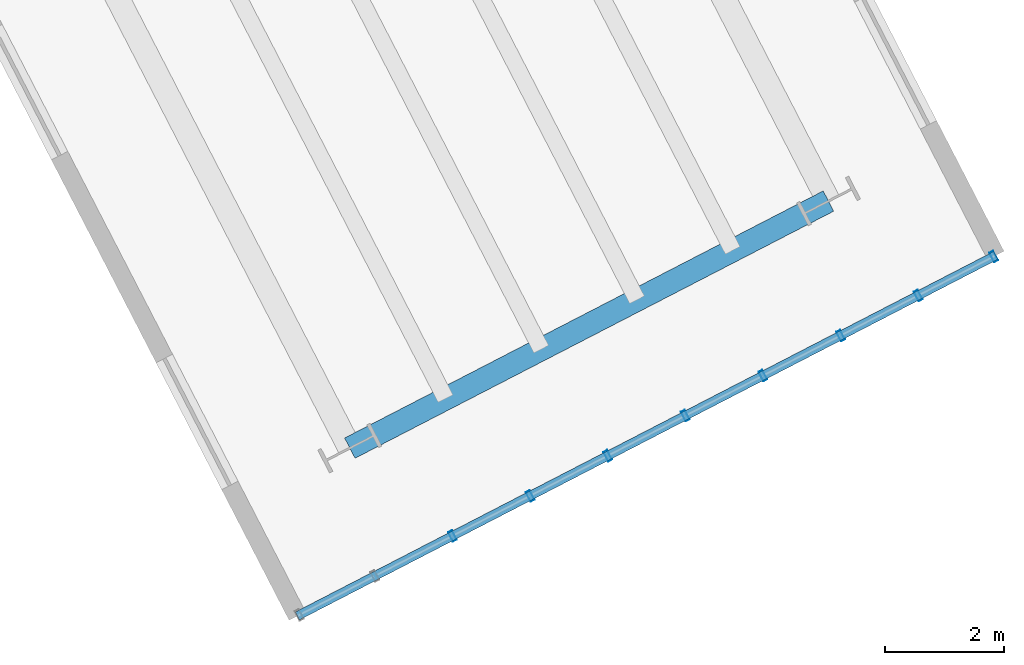
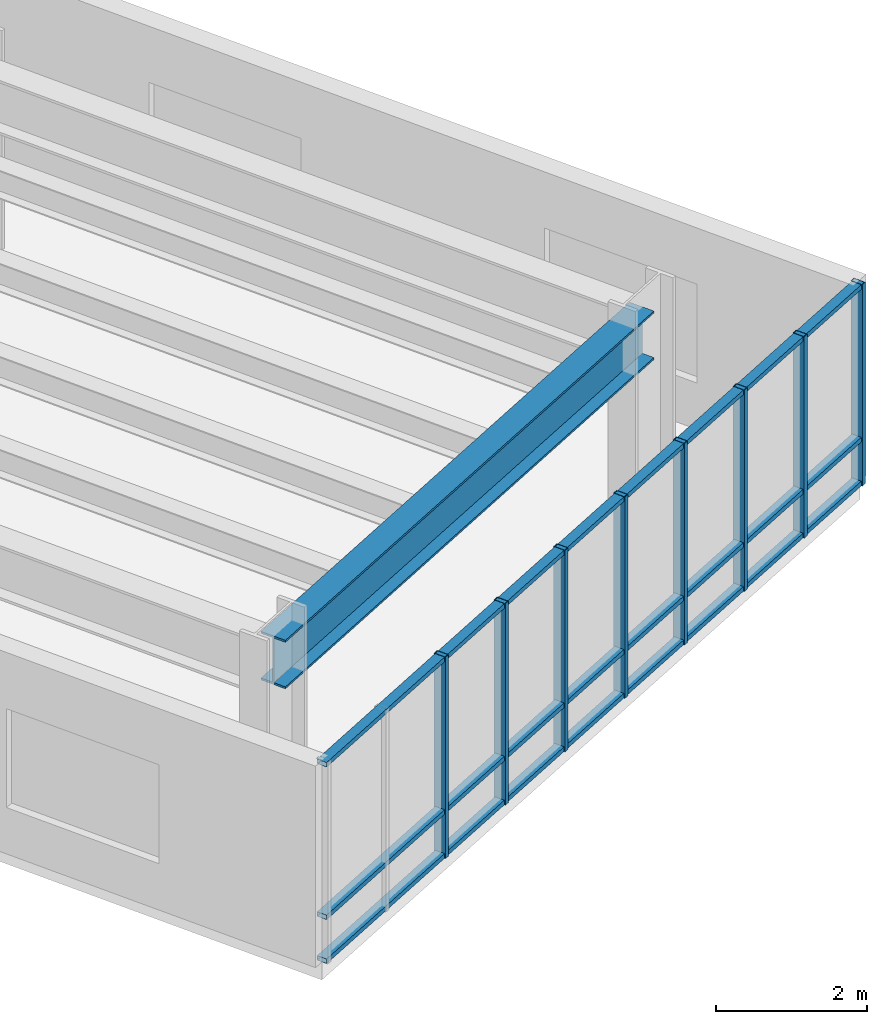
# One storey, part 4 of 10: 11 members, 1 beam, 1 element without a shape of its own.
"""IFC4 building model written with IfcOpenShell, lengths in metres."""

import ifcopenshell
import ifcopenshell.guid

model = None  # the IFC model being written
_history = None  # IfcOwnerHistory: only IFC2X3 demands one
_inside = {}  # id of a spatial element -> (the spatial element, [elements in it])
_under = {}  # id of a project, library or spatial element -> (it, [spatial elements below it])
_declared = {}  # id of a project -> (the project, [libraries it declares])
_typed = {}  # id of a type object -> (the type object, [elements of that type])
_made_of = {}  # id of a material, layer set ... -> (it, [elements and type objects made of it])


def new_model(schema):
    """Start an empty IFC model of exactly this schema.

    Asked for "IFC4X3", IfcOpenShell would pick the latest addendum, in which some entities
    have other attributes; the version numbers below select the first issue.
    IFC2X3 requires an IfcOwnerHistory on every rooted entity: one is made here for all.
    """
    global model, _history
    if schema == "IFC4X3":
        model = ifcopenshell.file(schema_version=(4, 3, 0, 0))
    else:
        model = ifcopenshell.file(schema=schema)
    _inside.clear()
    _under.clear()
    _declared.clear()
    _typed.clear()
    _made_of.clear()
    _history = None
    if model.schema == "IFC2X3":
        org = make("IfcOrganization", Name="unknown")
        user = make(
            "IfcPersonAndOrganization",
            ThePerson=make("IfcPerson", FamilyName="unknown"),
            TheOrganization=org,
        )
        app = make(
            "IfcApplication",
            ApplicationDeveloper=org,
            Version="unknown",
            ApplicationFullName="unknown",
            ApplicationIdentifier="unknown",
        )
        _history = make(
            "IfcOwnerHistory",
            OwningUser=user,
            OwningApplication=app,
            ChangeAction="ADDED",
            CreationDate=0,
        )
    return model


def make(cls, **values):
    """One entity of the class cls with the attributes given. An attribute that is None is left unset."""
    return model.create_entity(
        cls, **{name: value for name, value in values.items() if value is not None}
    )


def rooted(cls, **values):
    """An entity with a GlobalId (a new one), such as an element, a storey or a relation."""
    return make(cls, GlobalId=ifcopenshell.guid.new(), OwnerHistory=_history, **values)


def si_unit(unit_type, name, prefix=None):
    """IfcSIUnit, for example si_unit("LENGTHUNIT", "METRE", prefix="MILLI")."""
    return make("IfcSIUnit", UnitType=unit_type, Prefix=prefix, Name=name)


def assignment(units):
    """IfcUnitAssignment: the units of a project."""
    return None if units is None else make("IfcUnitAssignment", Units=units)


def point(xyz):
    """IfcCartesianPoint."""
    return None if xyz is None else make("IfcCartesianPoint", Coordinates=xyz)


def direction(xyz):
    """IfcDirection."""
    return None if xyz is None else make("IfcDirection", DirectionRatios=xyz)


def frame(location, z_axis=None, x_axis=None):
    """IfcAxis2Placement3D, a coordinate frame: its origin and axes. An axis left out is left unset."""
    return make(
        "IfcAxis2Placement3D",
        Location=point(location),
        Axis=direction(z_axis),
        RefDirection=direction(x_axis),
    )


def frame_2d(location, x_axis=None):
    """IfcAxis2Placement2D, a coordinate frame in the plane: its origin and x axis."""
    return make(
        "IfcAxis2Placement2D", Location=point(location), RefDirection=direction(x_axis)
    )


def origin():
    """The frame at (0, 0, 0) with its axes left unset."""
    return frame((0.0, 0.0, 0.0))


def origin_2d():
    """The frame at (0, 0) in the plane with its x axis left unset."""
    return frame_2d((0.0, 0.0))


def place(relative_to, where):
    """IfcLocalPlacement: puts the frame where relative to a parent placement (None: the world)."""
    return make(
        "IfcLocalPlacement", PlacementRelTo=relative_to, RelativePlacement=where
    )


def context(
    kind, dimensions, precision=None, world=None, true_north=None, identifier=None
):
    """IfcGeometricRepresentationContext, for example the 3D "Model" context."""
    return make(
        "IfcGeometricRepresentationContext",
        ContextIdentifier=identifier,
        ContextType=kind,
        CoordinateSpaceDimension=dimensions,
        Precision=precision,
        WorldCoordinateSystem=world,
        TrueNorth=true_north,
    )


def subcontext(parent, identifier, kind, view, scale=None):
    """IfcGeometricRepresentationSubContext, for example "Body" below "Model"."""
    return make(
        "IfcGeometricRepresentationSubContext",
        ContextIdentifier=identifier,
        ContextType=kind,
        ParentContext=parent,
        TargetScale=scale,
        TargetView=view,
    )


def project(units=None, contexts=None):
    """IfcProject with its units and contexts."""
    return rooted(
        "IfcProject",
        Name="project",
        RepresentationContexts=contexts,
        UnitsInContext=assignment(units),
    )


def spatial(cls, under=None, at=None, **own):
    """A site, building, storey or space (cls), placed at a placement, below another one or the project."""
    s = rooted(cls, ObjectPlacement=at, **own)
    if under is not None:
        _under.setdefault(under.id(), (under, []))[1].append(s)
    return s


def profile(cls, at=None, kind="AREA", **sizes):
    """A parametric profile (cls). Its sizes go by their IFC names, for example OverallWidth=200.0."""
    return make(cls, ProfileType=kind, Position=at, **sizes)


def hollow_rectangle(**sizes):
    """IfcRectangleHollowProfileDef."""
    return profile("IfcRectangleHollowProfileDef", **sizes)


def i_section(**sizes):
    """IfcIShapeProfileDef."""
    return profile("IfcIShapeProfileDef", **sizes)


def extrude(swept, where, along, depth):
    """IfcExtrudedAreaSolid: the profile swept, set in the frame where, extruded along a direction by depth."""
    return make(
        "IfcExtrudedAreaSolid",
        SweptArea=swept,
        Position=where,
        ExtrudedDirection=direction(along),
        Depth=depth,
    )


def shape(context_of_items, identifier, shape_type, items):
    """IfcShapeRepresentation: the items that make up one representation, for example the "Body"."""
    return make(
        "IfcShapeRepresentation",
        ContextOfItems=context_of_items,
        RepresentationIdentifier=identifier,
        RepresentationType=shape_type,
        Items=items,
    )


def material(Name=None, Category=None):
    """IfcMaterial."""
    return make("IfcMaterial", Name=Name, Category=Category)


def layer(
    of_material, thickness, ventilated=None, Name=None, Category=None, Priority=None
):
    """IfcMaterialLayer: one layer of a wall or slab, of a material (None: an air gap)."""
    return make(
        "IfcMaterialLayer",
        Material=of_material,
        LayerThickness=thickness,
        IsVentilated=ventilated,
        Name=Name,
        Category=Category,
        Priority=Priority,
    )


def layer_set(layers, Name=None):
    """IfcMaterialLayerSet."""
    return make("IfcMaterialLayerSet", MaterialLayers=layers, LayerSetName=Name)


def material_profile(
    of_material, cross_section, Name=None, Category=None, Priority=None
):
    """IfcMaterialProfile: a cross section and its material."""
    return make(
        "IfcMaterialProfile",
        Name=Name,
        Material=of_material,
        Profile=cross_section,
        Priority=Priority,
        Category=Category,
    )


def profile_set(profiles, Name=None, composite=None):
    """IfcMaterialProfileSet."""
    return make(
        "IfcMaterialProfileSet",
        Name=Name,
        MaterialProfiles=profiles,
        CompositeProfile=composite,
    )


def made_of(thing, what):
    """Note that an element or type object is made of a material, layer set ...; save() writes the relation."""
    if what is not None:
        _made_of.setdefault(what.id(), (what, []))[1].append(thing)
    return thing


def type_object(cls, material=None, **own):
    """A type object (cls), such as IfcWallType, which elements share."""
    return made_of(rooted(cls, **own), material)


def element(
    cls,
    number,
    at=None,
    inside=None,
    cuts=None,
    type_object=None,
    material=None,
    context=None,
    identifier="Body",
    shape_type=None,
    held_by="IfcProductDefinitionShape",
    body=None,
    shapes=None,
    **own,
):
    """One element of the class cls, such as IfcWall. Its Tag is "e" and its number.

    at: its placement. inside: the storey or other place that contains it. cuts: it is an
    opening in that element (IfcRelVoidsElement). A single representation is given by context,
    identifier, shape_type and body (its items); several are given by shapes. held_by: the class
    of the entity that holds the representations. save() writes the other relations.
    """
    e = rooted(cls, Tag="e%d" % number, ObjectPlacement=at, **own)
    if body is not None:
        shapes = [shape(context, identifier, shape_type, body)]
    if shapes is not None:
        e.Representation = make(held_by, Representations=shapes)
    if inside is not None:
        _inside.setdefault(inside.id(), (inside, []))[1].append(e)
    if cuts is not None:
        rooted(
            "IfcRelVoidsElement", RelatingBuildingElement=cuts, RelatedOpeningElement=e
        )
    if type_object is not None:
        _typed.setdefault(type_object.id(), (type_object, []))[1].append(e)
    return made_of(e, material)


def aggregate(whole, parts):
    """IfcRelAggregates: a whole, such as a stair, and the parts it consists of."""
    return rooted("IfcRelAggregates", RelatingObject=whole, RelatedObjects=parts)


def save(model, path):
    """Write the relations noted so far, then the file.

    IfcRelAggregates (storeys below a building ...), IfcRelContainedInSpatialStructure (elements
    in a storey), IfcRelDefinesByType, IfcRelAssociatesMaterial and IfcRelDeclares: one each for
    every whole, place, type object, material and project.
    """
    for whole, parts in _under.values():
        aggregate(whole, parts)
    for where, things in _inside.values():
        rooted(
            "IfcRelContainedInSpatialStructure",
            RelatedElements=things,
            RelatingStructure=where,
        )
    for kind, things in _typed.values():
        rooted("IfcRelDefinesByType", RelatedObjects=things, RelatingType=kind)
    for what, things in _made_of.values():
        rooted("IfcRelAssociatesMaterial", RelatedObjects=things, RelatingMaterial=what)
    for by, libraries in _declared.values():
        rooted("IfcRelDeclares", RelatingContext=by, RelatedDefinitions=libraries)
    model.write(path)


model = new_model("IFC4")

# Units and contexts
model_context = context("Model", 3, precision=1e-05, world=origin(), true_north=direction((0.0, 1.0)))
body_context = subcontext(model_context, "Body", "Model", "MODEL_VIEW")
ifc_project = project(units=[si_unit("LENGTHUNIT", "METRE"), si_unit("AREAUNIT", "SQUARE_METRE"), si_unit("VOLUMEUNIT", "CUBIC_METRE"), si_unit("PLANEANGLEUNIT", "RADIAN"), si_unit("MASSUNIT", "GRAM", prefix="KILO"), si_unit("THERMODYNAMICTEMPERATUREUNIT", "KELVIN"), si_unit("POWERUNIT", "WATT")], contexts=[model_context])

# Site, building, storey
site_placement = place(None, origin())
site = spatial("IfcSite", under=ifc_project, at=site_placement, CompositionType="ELEMENT")
building_placement = place(site_placement, origin())
building = spatial("IfcBuilding", under=site, at=building_placement, Name="Skarre Station Tower", CompositionType="ELEMENT")
storey_placement = place(building_placement, frame((0.0, 0.0, 234.800048828125)))
storey = spatial("IfcBuildingStorey", under=building, at=storey_placement, Name="L64", CompositionType="ELEMENT", Elevation=234.800048828125)

# Curtain wall, members
ifc_material_1 = material(Name="Thermally Broken Bronze-Anodized Aluminium & Triple Low-E Glass", Category="aluminium")
ifc_layer = layer(ifc_material_1, 0.2099609375, Name="Thermally Broken Bronze-Anodized Aluminium & Triple Low-E Glass")
ifc_layer_set = layer_set([ifc_layer], Name="Thermally Broken Bronze-Anodized Aluminium & Triple Low-E Glass")
curtain_wall_type = type_object("IfcCurtainWallType", Name="Sky-Bar Prow Structural Glazed Curtain Wall", PredefinedType="NOTDEFINED", material=ifc_layer_set)
curtain_wall_placement = place(storey_placement, origin())
curtain_wall = element("IfcCurtainWall", 1, at=curtain_wall_placement, inside=storey, type_object=curtain_wall_type, Name="L64 SB-5 Lakefront Prow Curtain Wall", PredefinedType="NOTDEFINED")
ifc_material_2 = material(Name="Anodized Aluminium 6063-T6", Category="aluminium")
ifc_material_profile_1 = material_profile(ifc_material_2, hollow_rectangle(XDim=0.074951171875, YDim=0.14990234375, WallThickness=0.00390625, at=origin_2d()), Name="Anodized Aluminium 6063-T6")
ifc_profile_set_1 = profile_set([ifc_material_profile_1], Name="Anodized Aluminium 6063-T6")
member_type_1 = type_object("IfcMemberType", Name="Curtain-Wall Secondary Transom 150x75", PredefinedType="USERDEFINED", material=ifc_profile_set_1)
member_1_placement = place(storey_placement, frame((56.969970703125, -4.160888671875, 0.0400390625), z_axis=(-0.888574451081, -0.458732432782, 0.0), x_axis=(0.0, 0.0, 1.0)))
member_1 = element("IfcMember", 2, at=member_1_placement, type_object=member_type_1, Name="L64 SB-5 Lakefront Prow Curtain Wall Transom 1", ObjectType="TRANSOM", PredefinedType="USERDEFINED", context=body_context, shape_type="SweptSolid", body=[
    extrude(hollow_rectangle(XDim=0.074951171875, YDim=0.14990234375, WallThickness=0.00390625, at=origin_2d()), origin(), (0.0, 0.0, 1.0), 13.19970703125),
])
member_2_placement = place(storey_placement, frame((56.969970703125, -4.160888671875, 0.75), z_axis=(-0.888574451081, -0.458732432782, 0.0), x_axis=(0.0, 0.0, 1.0)))
member_2 = element("IfcMember", 3, at=member_2_placement, type_object=member_type_1, Name="L64 SB-5 Lakefront Prow Curtain Wall Transom 2", ObjectType="TRANSOM", PredefinedType="USERDEFINED", context=body_context, shape_type="SweptSolid", body=[
    extrude(hollow_rectangle(XDim=0.074951171875, YDim=0.14990234375, WallThickness=0.00390625, at=origin_2d()), origin(), (0.0, 0.0, 1.0), 13.19970703125),
])
member_3_placement = place(storey_placement, frame((56.969970703125, -4.160888671875, 3.219970703125), z_axis=(-0.888574451081, -0.458732432782, 0.0), x_axis=(0.0, 0.0, 1.0)))
member_3 = element("IfcMember", 4, at=member_3_placement, type_object=member_type_1, Name="L64 SB-5 Lakefront Prow Curtain Wall Transom 3", ObjectType="TRANSOM", PredefinedType="USERDEFINED", context=body_context, shape_type="SweptSolid", body=[
    extrude(hollow_rectangle(XDim=0.074951171875, YDim=0.14990234375, WallThickness=0.00390625, at=origin_2d()), origin(), (0.0, 0.0, 1.0), 13.19970703125),
])
ifc_material_profile_2 = material_profile(ifc_material_2, hollow_rectangle(XDim=0.074951171875, YDim=0.179931640625, WallThickness=0.00390625, at=origin_2d()), Name="Anodized Aluminium 6063-T6")
ifc_profile_set_2 = profile_set([ifc_material_profile_2], Name="Anodized Aluminium 6063-T6")
member_type_2 = type_object("IfcMemberType", Name="Curtain-Wall Unitised Tower Mullion 180x75", PredefinedType="MULLION", material=ifc_profile_set_2)
member_4_placement = place(storey_placement, frame((56.93408203125, -4.178955078125, 0.0), z_axis=(0.0, 0.0, 1.0), x_axis=(-0.888577204547, -0.45872709922, 0.0)))
member_4 = element("IfcMember", 5, at=member_4_placement, type_object=member_type_2, Name="L64 SB-5 Lakefront Prow Curtain Wall Mullion 1", PredefinedType="MULLION", context=body_context, shape_type="SweptSolid", body=[
    extrude(hollow_rectangle(XDim=0.074951171875, YDim=0.179931640625, WallThickness=0.00390625, at=origin_2d()), origin(), (0.0, 0.0, 1.0), 3.260009765625),
])
member_5_placement = place(storey_placement, frame((55.6669921875, -4.833984375, 0.0), z_axis=(0.0, 0.0, 1.0), x_axis=(-0.888577204547, -0.45872709922, 0.0)))
member_5 = element("IfcMember", 6, at=member_5_placement, type_object=member_type_2, Name="L64 SB-5 Lakefront Prow Curtain Wall Mullion 2", PredefinedType="MULLION", context=body_context, shape_type="SweptSolid", body=[
    extrude(hollow_rectangle(XDim=0.074951171875, YDim=0.179931640625, WallThickness=0.00390625, at=origin_2d()), origin(), (0.0, 0.0, 1.0), 3.260009765625),
])
member_6_placement = place(storey_placement, frame((54.364013671875, -5.507080078125, 0.0), z_axis=(0.0, 0.0, 1.0), x_axis=(-0.888577204547, -0.45872709922, 0.0)))
member_6 = element("IfcMember", 7, at=member_6_placement, type_object=member_type_2, Name="L64 SB-5 Lakefront Prow Curtain Wall Mullion 3", PredefinedType="MULLION", context=body_context, shape_type="SweptSolid", body=[
    extrude(hollow_rectangle(XDim=0.074951171875, YDim=0.179931640625, WallThickness=0.00390625, at=origin_2d()), origin(), (0.0, 0.0, 1.0), 3.260009765625),
])
member_7_placement = place(storey_placement, frame((53.06005859375, -6.178955078125, 0.0), z_axis=(0.0, 0.0, 1.0), x_axis=(-0.888577204547, -0.45872709922, 0.0)))
member_7 = element("IfcMember", 8, at=member_7_placement, type_object=member_type_2, Name="L64 SB-5 Lakefront Prow Curtain Wall Mullion 4", PredefinedType="MULLION", context=body_context, shape_type="SweptSolid", body=[
    extrude(hollow_rectangle(XDim=0.074951171875, YDim=0.179931640625, WallThickness=0.00390625, at=origin_2d()), origin(), (0.0, 0.0, 1.0), 3.260009765625),
])
member_8_placement = place(storey_placement, frame((51.757080078125, -6.85205078125, 0.0), z_axis=(0.0, 0.0, 1.0), x_axis=(-0.888577204547, -0.45872709922, 0.0)))
member_8 = element("IfcMember", 9, at=member_8_placement, type_object=member_type_2, Name="L64 SB-5 Lakefront Prow Curtain Wall Mullion 5", PredefinedType="MULLION", context=body_context, shape_type="SweptSolid", body=[
    extrude(hollow_rectangle(XDim=0.074951171875, YDim=0.179931640625, WallThickness=0.00390625, at=origin_2d()), origin(), (0.0, 0.0, 1.0), 3.260009765625),
])
member_9_placement = place(storey_placement, frame((50.4541015625, -7.52490234375, 0.0), z_axis=(0.0, 0.0, 1.0), x_axis=(-0.888577204547, -0.45872709922, 0.0)))
member_9 = element("IfcMember", 10, at=member_9_placement, type_object=member_type_2, Name="L64 SB-5 Lakefront Prow Curtain Wall Mullion 6", PredefinedType="MULLION", context=body_context, shape_type="SweptSolid", body=[
    extrude(hollow_rectangle(XDim=0.074951171875, YDim=0.179931640625, WallThickness=0.00390625, at=origin_2d()), origin(), (0.0, 0.0, 1.0), 3.260009765625),
])
member_10_placement = place(storey_placement, frame((49.15087890625, -8.197998046875, 0.0), z_axis=(0.0, 0.0, 1.0), x_axis=(-0.888577204547, -0.45872709922, 0.0)))
member_10 = element("IfcMember", 11, at=member_10_placement, type_object=member_type_2, Name="L64 SB-5 Lakefront Prow Curtain Wall Mullion 7", PredefinedType="MULLION", context=body_context, shape_type="SweptSolid", body=[
    extrude(hollow_rectangle(XDim=0.074951171875, YDim=0.179931640625, WallThickness=0.00390625, at=origin_2d()), origin(), (0.0, 0.0, 1.0), 3.260009765625),
])
member_11_placement = place(storey_placement, frame((47.846923828125, -8.8701171875, 0.0), z_axis=(0.0, 0.0, 1.0), x_axis=(-0.888577204547, -0.45872709922, 0.0)))
member_11 = element("IfcMember", 12, at=member_11_placement, type_object=member_type_2, Name="L64 SB-5 Lakefront Prow Curtain Wall Mullion 8", PredefinedType="MULLION", context=body_context, shape_type="SweptSolid", body=[
    extrude(hollow_rectangle(XDim=0.074951171875, YDim=0.179931640625, WallThickness=0.00390625, at=origin_2d()), origin(), (0.0, 0.0, 1.0), 3.260009765625),
])
aggregate(curtain_wall, [member_4, member_5, member_6, member_7, member_8, member_9, member_10, member_11, member_1, member_2, member_3])

# Beam
ifc_material_3 = material(Name="Steel ASTM A992 Grade 50", Category="steel")
ifc_material_profile_3 = material_profile(ifc_material_3, i_section(OverallWidth=0.384033203125, OverallDepth=0.785888671875, WebThickness=0.02001953125, FlangeThickness=0.032958984375, at=origin_2d()), Name="Steel ASTM A992 Grade 50")
ifc_profile_set_3 = profile_set([ifc_material_profile_3], Name="Steel ASTM A992 Grade 50")
beam_type = type_object("IfcBeamType", Name="Steel Spandrel W30X211", PredefinedType="SPANDREL", material=ifc_profile_set_3)
beam_placement = place(storey_placement, frame((46.123046875, -7.39697265625, 2.866943359375), z_axis=(0.888604333632, 0.458674545021, 0.0), x_axis=(-0.458674545021, 0.888604333632, 0.0)))
element("IfcBeam", 13, at=beam_placement, inside=storey, type_object=beam_type, Name="L64 SB-5 Prow Spandrel Girder", PredefinedType="SPANDREL", context=body_context, shape_type="SweptSolid", body=[
    extrude(i_section(OverallWidth=0.384033203125, OverallDepth=0.785888671875, WebThickness=0.02001953125, FlangeThickness=0.032958984375, at=origin_2d()), origin(), (0.0, 0.0, 1.0), 9.04541015625),
])

save(model, "model.ifc")
